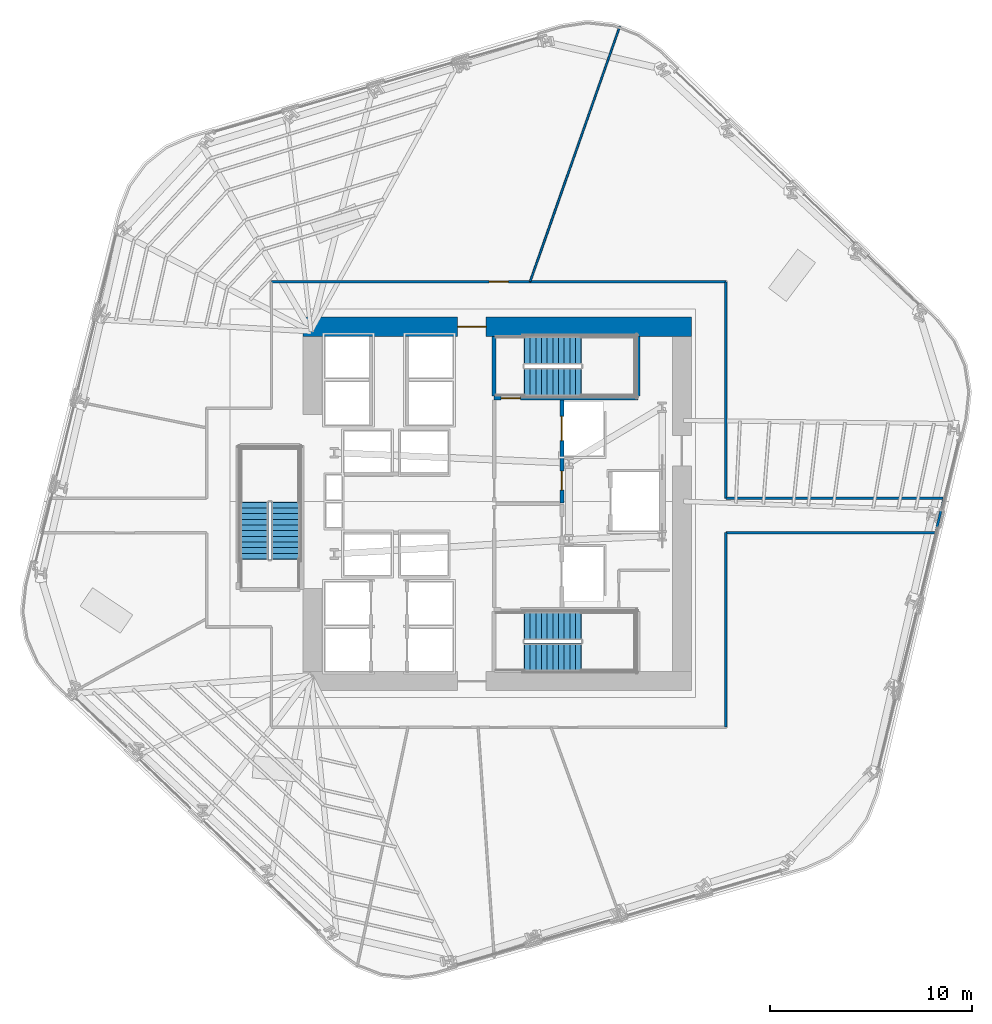
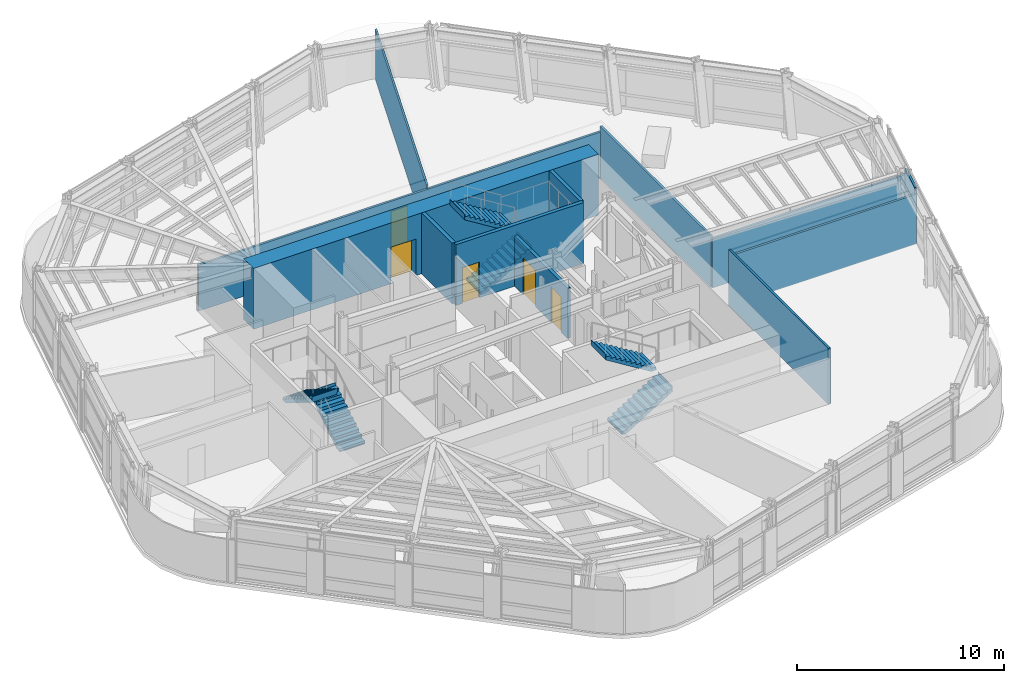
# One storey, part 9 of 15: 12 walls, 6 stair flights, 5 doors, 5 openings, 3 elements without a shape of their own.
"""IFC4 building model written with IfcOpenShell, lengths in metres."""

from ifc_helpers import new_model, si_unit, direction, frame, frame_2d, origin, place, context, subcontext, project, spatial, polyline, rectangle, outline, extrude, material, layer, layer_set, type_object, element, fill, aggregate, save


model = new_model("IFC4")

# Units and contexts
model_context = context("Model", 3, precision=1e-05, world=origin(), true_north=direction((0.0, 1.0)))
body_context = subcontext(model_context, "Body", "Model", "MODEL_VIEW")
ifc_project = project(units=[si_unit("LENGTHUNIT", "METRE"), si_unit("AREAUNIT", "SQUARE_METRE"), si_unit("VOLUMEUNIT", "CUBIC_METRE"), si_unit("PLANEANGLEUNIT", "RADIAN"), si_unit("MASSUNIT", "GRAM", prefix="KILO")], contexts=[model_context])

# Site, building, storey
site_placement = place(None, origin())
site = spatial("IfcSite", under=ifc_project, at=site_placement, CompositionType="ELEMENT")
building_placement = place(site_placement, origin())
building = spatial("IfcBuilding", under=site, at=building_placement, Name="Valkerne Bourse Tower", CompositionType="ELEMENT")
storey_placement = place(building_placement, frame((0.0, 0.0, 93.39990234375)))
storey = spatial("IfcBuildingStorey", under=building, at=storey_placement, Name="L23", CompositionType="ELEMENT", Elevation=93.39990234375)

# Wall, opening, door
ifc_material_1 = material(Name="Concrete C70/85", Category="concrete")
ifc_layer_1 = layer(ifc_material_1, 0.949951171875)
ifc_layer_set_1 = layer_set([ifc_layer_1], Name="Concrete C70/85")
wall_type_1 = type_object("IfcWallType", Name="W-CORE-950", PredefinedType="SHEAR", material=ifc_layer_set_1)
wall_1_placement = place(storey_placement, frame((37.199951171875, 35.625, 0.0), z_axis=(0.0, 0.0, 1.0), x_axis=(1.0, 0.0, 0.0)))
wall_1 = element("IfcWall", 1, at=wall_1_placement, inside=storey, type_object=wall_type_1, Name="L23 Core Shear Wall NORTH", PredefinedType="SHEAR", context=body_context, shape_type="SweptSolid", body=[
    extrude(rectangle(XDim=19.199951171875, YDim=0.949951171875, at=frame_2d((9.60009765625, 0.0))), origin(), (0.0, 0.0, 1.0), 3.580078125),
])
opening_1_placement = place(wall_1_placement, frame((7.64990234375, 0.0, 0.0)))
opening_1 = element("IfcOpeningElement", 2, at=opening_1_placement, cuts=wall_1, Name="Opening D-PL-1400", PredefinedType="OPENING", context=body_context, shape_type="SweptSolid", body=[
    extrude(rectangle(XDim=1.39990234375, YDim=2.14990234375, at=frame_2d((0.699951171875, 1.074951171875))), frame((0.0, 0.48486328125, 0.0), z_axis=(0.0, -1.0, 0.0), x_axis=(1.0, 0.0, 0.0)), (0.0, 0.0, 1.0), 0.969970703125),
])
ifc_material_2 = material(Name="Galvanised Painted Steel", Category="steel")
door_type_1 = type_object("IfcDoorType", Name="DR-PLT-1400", OperationType="DOUBLE_DOOR_SINGLE_SWING", PredefinedType="DOOR", material=ifc_material_2)
door_1_placement = place(opening_1_placement, origin())
door_1 = element("IfcDoor", 3, at=door_1_placement, inside=storey, type_object=door_type_1, Name="L23 North Passenger Lift Hall Fire Door", OperationType="DOUBLE_DOOR_SINGLE_SWING", OverallHeight=2.14990234375, OverallWidth=1.39990234375, PredefinedType="DOOR", context=body_context, shape_type="SweptSolid", body=[
    extrude(rectangle(XDim=1.39990234375, YDim=2.14990234375, at=frame_2d((0.699951171875, 1.074951171875))), frame((0.0, 0.02490234375, 0.0), z_axis=(0.0, -1.0, 0.0), x_axis=(1.0, 0.0, 0.0)), (0.0, 0.0, 1.0), 0.050048828125),
])
fill(opening_1, door_1)

# Walls
ifc_material_3 = material(Name="Gypsum Board Steel-Stud Partition", Category="steel")
ifc_layer_2 = layer(ifc_material_3, 0.117919921875)
ifc_layer_set_2 = layer_set([ifc_layer_2], Name="Gypsum Board Steel-Stud Partition")
wall_type_2 = type_object("IfcWallType", Name="W-CORR-140", PredefinedType="PARTITIONING", material=ifc_layer_set_2)
wall_2_placement = place(storey_placement, frame((58.10009765625, 27.14990234375, 0.0), z_axis=(0.0, 0.0, 1.0), x_axis=(1.0, 0.0, 0.0)))
element("IfcWall", 4, at=wall_2_placement, inside=storey, type_object=wall_type_2, Name="L23 Corridor Enclosure Wall", PredefinedType="PARTITIONING", context=body_context, shape_type="SweptSolid", body=[
    extrude(rectangle(XDim=10.724365234375, YDim=0.117919921875, at=frame_2d((5.3623046875, 0.0))), origin(), (0.0, 0.0, 1.0), 2.922607421875),
])
wall_3_placement = place(storey_placement, frame((68.85888671875, 27.106201171875, 0.0), z_axis=(0.0, 0.0, 1.0), x_axis=(-0.232266584187, -0.972652164892, 0.0)))
element("IfcWall", 5, at=wall_3_placement, inside=storey, type_object=wall_type_2, Name="L23 Corridor Enclosure Wall", PredefinedType="PARTITIONING", context=body_context, shape_type="SweptSolid", body=[
    extrude(rectangle(XDim=1.702880859375, YDim=0.117919921875, at=frame_2d((0.8515625, 0.0))), origin(), (0.0, 0.0, 1.0), 3.280029296875),
])
wall_4_placement = place(storey_placement, frame((68.46337890625, 25.449951171875, 0.0), z_axis=(0.0, 0.0, 1.0), x_axis=(-1.0, 0.0, 0.0)))
element("IfcWall", 6, at=wall_4_placement, inside=storey, type_object=wall_type_2, Name="L23 Corridor Enclosure Wall", PredefinedType="PARTITIONING", context=body_context, shape_type="SweptSolid", body=[
    extrude(rectangle(XDim=10.36328125, YDim=0.117919921875, at=frame_2d((5.181640625, 0.0))), origin(), (0.0, 0.0, 1.0), 2.922607421875),
])
wall_5_placement = place(storey_placement, frame((58.10009765625, 25.449951171875, 0.0), z_axis=(0.0, 0.0, 1.0), x_axis=(0.0, -1.0, 0.0)))
element("IfcWall", 7, at=wall_5_placement, inside=storey, type_object=wall_type_2, Name="L23 Corridor Enclosure Wall", PredefinedType="PARTITIONING", context=body_context, shape_type="SweptSolid", body=[
    extrude(rectangle(XDim=9.599853515625, YDim=0.117919921875, at=frame_2d((4.7998046875, 0.0))), origin(), (0.0, 0.0, 1.0), 3.280029296875),
])

# Wall, opening, door
wall_6_placement = place(storey_placement, frame((35.64990234375, 37.85009765625, 0.0), z_axis=(0.0, 0.0, 1.0), x_axis=(1.0, 0.0, 0.0)))
wall_6 = element("IfcWall", 8, at=wall_6_placement, inside=storey, type_object=wall_type_2, Name="L23 Corridor Enclosure Wall", PredefinedType="PARTITIONING", context=body_context, shape_type="SweptSolid", body=[
    extrude(rectangle(XDim=22.4501953125, YDim=0.117919921875, at=frame_2d((11.22509765625, 0.0))), origin(), (0.0, 0.0, 1.0), 2.711669921875),
])
opening_2_placement = place(wall_6_placement, frame((10.75, 0.0, 0.0)))
opening_2 = element("IfcOpeningElement", 9, at=opening_2_placement, cuts=wall_6, Name="Opening D-OF-950", PredefinedType="OPENING", context=body_context, shape_type="SweptSolid", body=[
    extrude(rectangle(XDim=0.949951171875, YDim=2.10009765625, at=frame_2d((0.47509765625, 1.050048828125))), frame((0.0, 0.06884765625, 0.0), z_axis=(0.0, -1.0, 0.0), x_axis=(1.0, 0.0, 0.0)), (0.0, 0.0, 1.0), 0.137939453125),
])
ifc_material_4 = material(Name="Architectural White Oak Timber", Category="wood")
door_type_2 = type_object("IfcDoorType", Name="DR-OFF-950", OperationType="NOTDEFINED", PredefinedType="DOOR", material=ifc_material_4)
door_2_placement = place(opening_2_placement, origin())
door_2 = element("IfcDoor", 10, at=door_2_placement, inside=storey, type_object=door_type_2, Name="L23 L23 Executive Advisory Suite Office 5 Door", OperationType="SINGLE_SWING_RIGHT", OverallHeight=2.10009765625, OverallWidth=0.949951171875, PredefinedType="DOOR", context=body_context, shape_type="SweptSolid", body=[
    extrude(rectangle(XDim=0.949951171875, YDim=2.10009765625, at=frame_2d((0.47509765625, 1.050048828125))), frame((0.0, 0.02490234375, 0.0), z_axis=(0.0, -1.0, 0.0), x_axis=(1.0, 0.0, 0.0)), (0.0, 0.0, 1.0), 0.050048828125),
])
fill(opening_2, door_2)

# Wall
wall_7_placement = place(storey_placement, frame((58.10009765625, 37.85009765625, 0.0), z_axis=(0.0, 0.0, 1.0), x_axis=(0.0, -1.0, 0.0)))
element("IfcWall", 11, at=wall_7_placement, inside=storey, type_object=wall_type_2, Name="L23 Corridor Enclosure Wall", PredefinedType="PARTITIONING", context=body_context, shape_type="SweptSolid", body=[
    extrude(rectangle(XDim=10.7001953125, YDim=0.117919921875, at=frame_2d((5.35009765625, 0.0))), origin(), (0.0, 0.0, 1.0), 3.021484375),
])

# Wall, openings, doors
ifc_material_5 = material(Name="Gypsum Fire-Rated Shaftwall", Category="gypsum")
ifc_layer_3 = layer(ifc_material_5, 0.179931640625)
ifc_layer_set_3 = layer_set([ifc_layer_3], Name="Gypsum Fire-Rated Shaftwall")
wall_type_3 = type_object("IfcWallType", Name="W-FSAE-180", PredefinedType="PARTITIONING", material=ifc_layer_set_3)
wall_8_placement = place(storey_placement, frame((50.0, 26.919921875, 0.0), z_axis=(0.0, 0.0, 1.0), x_axis=(0.0, 1.0, 0.0)))
wall_8 = element("IfcWall", 12, at=wall_8_placement, inside=storey, type_object=wall_type_3, Name="L23 FSAE-2 Lobby & Shaft Front Wall", PredefinedType="PARTITIONING", context=body_context, shape_type="SweptSolid", body=[
    extrude(rectangle(XDim=5.080078125, YDim=0.179931640625, at=frame_2d((2.5400390625, 0.0))), origin(), (0.0, 0.0, 1.0), 2.9580078125),
])
opening_3_placement = place(wall_8_placement, frame((3.080078125, 0.0, 0.0)))
opening_3 = element("IfcOpeningElement", 13, at=opening_3_placement, cuts=wall_8, Name="Opening LD-1200", PredefinedType="OPENING", context=body_context, shape_type="SweptSolid", body=[
    extrude(rectangle(XDim=1.199951171875, YDim=2.14990234375, at=frame_2d((0.60009765625, 1.074951171875))), frame((0.0, 0.099853515625, 0.0), z_axis=(0.0, -1.0, 0.0), x_axis=(1.0, 0.0, 0.0)), (0.0, 0.0, 1.0), 0.199951171875),
])
opening_4_placement = place(wall_8_placement, frame((0.6298828125, 0.0, 0.0)))
opening_4 = element("IfcOpeningElement", 14, at=opening_4_placement, cuts=wall_8, Name="Opening D-FS-950", PredefinedType="OPENING", context=body_context, shape_type="SweptSolid", body=[
    extrude(rectangle(XDim=0.949951171875, YDim=2.10009765625, at=frame_2d((0.47509765625, 1.050048828125))), frame((0.0, 0.099853515625, 0.0), z_axis=(0.0, -1.0, 0.0), x_axis=(1.0, 0.0, 0.0)), (0.0, 0.0, 1.0), 0.199951171875),
])
door_type_3 = type_object("IfcDoorType", Name="DR-FSAE-950", OperationType="NOTDEFINED", PredefinedType="DOOR", material=ifc_material_2)
door_3_placement = place(opening_4_placement, origin())
door_3 = element("IfcDoor", 15, at=door_3_placement, inside=storey, type_object=door_type_3, Name="L23 FSAE-2 Lobby Corridor Fire Door", OperationType="SINGLE_SWING_LEFT", OverallHeight=2.10009765625, OverallWidth=0.949951171875, PredefinedType="DOOR", context=body_context, shape_type="SweptSolid", body=[
    extrude(rectangle(XDim=0.949951171875, YDim=2.10009765625, at=frame_2d((0.47509765625, 1.050048828125))), frame((0.0, 0.02490234375, 0.0), z_axis=(0.0, -1.0, 0.0), x_axis=(1.0, 0.0, 0.0)), (0.0, 0.0, 1.0), 0.050048828125),
])
fill(opening_4, door_3)
ifc_material_6 = material(Name="Stainless Steel AISI 316", Category="steel")
door_type_4 = type_object("IfcDoorType", Name="DR-LIFT-1200", OperationType="DOUBLE_DOOR_SLIDING", PredefinedType="DOOR", material=ifc_material_6)
door_4_placement = place(opening_3_placement, origin())
door_4 = element("IfcDoor", 16, at=door_4_placement, inside=storey, type_object=door_type_4, Name="L23 FSAE-2 Firefighting Lift Landing Door", OperationType="DOUBLE_DOOR_SLIDING", OverallHeight=2.14990234375, OverallWidth=1.199951171875, PredefinedType="DOOR", context=body_context, shape_type="SweptSolid", body=[
    extrude(rectangle(XDim=1.199951171875, YDim=2.14990234375, at=frame_2d((0.60009765625, 1.074951171875))), frame((0.0, 0.02490234375, 0.0), z_axis=(0.0, -1.0, 0.0), x_axis=(1.0, 0.0, 0.0)), (0.0, 0.0, 1.0), 0.050048828125),
])
fill(opening_3, door_4)

# Wall
ifc_layer_4 = layer(ifc_material_3, 0.092041015625)
ifc_layer_set_4 = layer_set([ifc_layer_4], Name="Gypsum Board Steel-Stud Partition")
wall_type_4 = type_object("IfcWallType", Name="W-PART-115", PredefinedType="PARTITIONING", material=ifc_layer_set_4)
wall_9_placement = place(storey_placement, frame((48.427001953125, 37.85498046875, 0.0), z_axis=(0.0, 0.0, 1.0), x_axis=(0.33145961858, 0.943469406632, 0.0)))
element("IfcWall", 17, at=wall_9_placement, inside=storey, type_object=wall_type_4, Name="L23 Suite Partition P04", PredefinedType="PARTITIONING", context=body_context, shape_type="SweptSolid", body=[
    extrude(rectangle(XDim=13.360595703125, YDim=0.092041015625, at=frame_2d((6.68017578125, 0.0))), origin(), (0.0, 0.0, 1.0), 2.922607421875),
])

# Wall, opening, door
ifc_material_7 = material(Name="Concrete C40/50", Category="concrete")
ifc_layer_5 = layer(ifc_material_7, 0.199951171875)
ifc_layer_set_5 = layer_set([ifc_layer_5], Name="Concrete C40/50")
wall_type_5 = type_object("IfcWallType", Name="W-SHF-200", PredefinedType="SHEAR", material=ifc_layer_set_5)
wall_10_placement = place(storey_placement, frame((46.64990234375, 32.10009765625, 0.0), z_axis=(0.0, 0.0, 1.0), x_axis=(1.0, 0.0, 0.0)))
wall_10 = element("IfcWall", 18, at=wall_10_placement, inside=storey, type_object=wall_type_5, Name="L23 Exit Stair ST-2 Structural Shaft Wall South", PredefinedType="SHEAR", context=body_context, shape_type="SweptSolid", body=[
    extrude(rectangle(XDim=7.10009765625, YDim=0.199951171875, at=frame_2d((3.550048828125, 0.0))), origin(), (0.0, 0.0, 1.0), 3.580078125),
])
opening_5_placement = place(wall_10_placement, frame((0.35009765625, 0.0, 0.0)))
opening_5 = element("IfcOpeningElement", 19, at=opening_5_placement, cuts=wall_10, Name="Opening D-ST-950", PredefinedType="OPENING", context=body_context, shape_type="SweptSolid", body=[
    extrude(rectangle(XDim=0.949951171875, YDim=2.10009765625, at=frame_2d((0.47509765625, 1.050048828125))), frame((0.0, 0.10986328125, 0.0), z_axis=(0.0, -1.0, 0.0), x_axis=(1.0, 0.0, 0.0)), (0.0, 0.0, 1.0), 0.219970703125),
])
door_type_5 = type_object("IfcDoorType", Name="DR-STAIR-950", OperationType="NOTDEFINED", PredefinedType="DOOR", material=ifc_material_2)
door_5_placement = place(opening_5_placement, origin())
door_5 = element("IfcDoor", 20, at=door_5_placement, inside=storey, type_object=door_type_5, Name="L23 Exit Stair ST-2 Door", OperationType="SINGLE_SWING_RIGHT", OverallHeight=2.10009765625, OverallWidth=0.949951171875, PredefinedType="DOOR", context=body_context, shape_type="SweptSolid", body=[
    extrude(rectangle(XDim=0.949951171875, YDim=2.10009765625, at=frame_2d((0.47509765625, 1.050048828125))), frame((0.0, 0.02490234375, 0.0), z_axis=(0.0, -1.0, 0.0), x_axis=(1.0, 0.0, 0.0)), (0.0, 0.0, 1.0), 0.050048828125),
])
fill(opening_5, door_5)

# Walls
for number, where, z_axis, x_axis, name in (
    (21, (46.64990234375, 32.199951171875, 0.0), (0.0, 0.0, 1.0), (0.0, 1.0, 0.0), "L23 Exit Stair ST-2 Structural Shaft Wall West"),
    (22, (53.75, 32.199951171875, 0.0), (0.0, 0.0, 1.0), (0.0, 1.0, 0.0), "L23 Exit Stair ST-2 Structural Shaft Wall East"),
):
    element("IfcWall", number, at=place(storey_placement, frame(where, z_axis=z_axis, x_axis=x_axis)), inside=storey, type_object=wall_type_5, Name=name, PredefinedType="SHEAR", context=body_context, shape_type="SweptSolid", body=[
        extrude(rectangle(XDim=2.949951171875, YDim=0.199951171875, at=frame_2d((1.47509765625, 0.0))), origin(), (0.0, 0.0, 1.0), 3.580078125),
    ])

# Stair, stair flights
stair_type = type_object("IfcStairType", Name="ST-CORE-1400", PredefinedType="HALF_TURN_STAIR", material=ifc_material_7)
stair_1_placement = place(storey_placement, origin())
stair_1 = element("IfcStair", 23, at=stair_1_placement, inside=storey, type_object=stair_type, Name="L23 ST-1", PredefinedType="HALF_TURN_STAIR")
stair_flight_type = type_object("IfcStairFlightType", Name="STF-CORE-1400", PredefinedType="STRAIGHT", material=ifc_material_7)
stair_flight_1_placement = place(storey_placement, frame((48.14990234375, 19.300048828125, 0.0), z_axis=(0.0, 0.0, 1.0), x_axis=(1.0, 0.0, 0.0)))
stair_flight_1 = element("IfcStairFlight", 24, at=stair_flight_1_placement, type_object=stair_flight_type, Name="ST-1 flight 1", NumberOfRisers=11, NumberOfTreads=10, PredefinedType="STRAIGHT", RiserHeight=0.172727273, TreadLength=0.28, context=body_context, shape_type="SweptSolid", body=[
    extrude(outline(polyline([(-0.02001953125, 0.0), (-0.02001953125, 0.044921875), (0.0, 0.044921875), (0.0, 0.172607421875), (0.280029296875, 0.172607421875), (0.280029296875, 0.345458984375), (0.56005859375, 0.345458984375), (0.56005859375, 0.51806640625), (0.840087890625, 0.51806640625), (0.840087890625, 0.69091796875), (1.1201171875, 0.69091796875), (1.1201171875, 0.863525390625), (1.39990234375, 0.863525390625), (1.39990234375, 1.036376953125), (1.679931640625, 1.036376953125), (1.679931640625, 1.208984375), (1.9599609375, 1.208984375), (1.9599609375, 1.3818359375), (2.239990234375, 1.3818359375), (2.239990234375, 1.554443359375), (2.52001953125, 1.554443359375), (2.52001953125, 1.727294921875), (2.800048828125, 1.727294921875), (2.800048828125, 1.89990234375), (2.820068359375, 1.89990234375), (2.820068359375, 1.780029296875), (2.800048828125, 1.551025390625), (0.285400390625, 0.0), (-0.02001953125, 0.0)])), frame((0.0, 0.699951171875, 0.0), z_axis=(0.0, -1.0, 0.0), x_axis=(1.0, 0.0, 0.0)), (0.0, 0.0, 1.0), 1.39990234375),
])
stair_flight_2_placement = place(storey_placement, frame((50.949951171875, 20.85009765625, 1.900146484375), z_axis=(0.0, 0.0, 1.0), x_axis=(-1.0, 0.0, 0.0)))
stair_flight_2 = element("IfcStairFlight", 25, at=stair_flight_2_placement, type_object=stair_flight_type, Name="ST-1 flight 2", NumberOfRisers=11, NumberOfTreads=10, PredefinedType="STRAIGHT", RiserHeight=0.172727273, TreadLength=0.28, context=body_context, shape_type="SweptSolid", body=[
    extrude(outline(polyline([(-0.02001953125, 0.0), (-0.02001953125, 0.044921875), (0.0, 0.044921875), (0.0, 0.172607421875), (0.280029296875, 0.172607421875), (0.280029296875, 0.345458984375), (0.56005859375, 0.345458984375), (0.56005859375, 0.51806640625), (0.840087890625, 0.51806640625), (0.840087890625, 0.69091796875), (1.1201171875, 0.69091796875), (1.1201171875, 0.863525390625), (1.39990234375, 0.863525390625), (1.39990234375, 1.036376953125), (1.679931640625, 1.036376953125), (1.679931640625, 1.208984375), (1.9599609375, 1.208984375), (1.9599609375, 1.3818359375), (2.239990234375, 1.3818359375), (2.239990234375, 1.554443359375), (2.52001953125, 1.554443359375), (2.52001953125, 1.727294921875), (2.800048828125, 1.727294921875), (2.800048828125, 1.89990234375), (2.820068359375, 1.89990234375), (2.820068359375, 1.780029296875), (2.800048828125, 1.551025390625), (0.285400390625, 0.0), (-0.02001953125, 0.0)])), frame((0.0, 0.699951171875, 0.0), z_axis=(0.0, -1.0, 0.0), x_axis=(1.0, 0.0, 0.0)), (0.0, 0.0, 1.0), 1.39990234375),
])
aggregate(stair_1, [stair_flight_1, stair_flight_2])

stair_2_placement = place(storey_placement, origin())
stair_2 = element("IfcStair", 26, at=stair_2_placement, inside=storey, type_object=stair_type, Name="L23 ST-2", PredefinedType="HALF_TURN_STAIR")
stair_flight_3_placement = place(storey_placement, frame((48.14990234375, 32.89990234375, 0.0), z_axis=(0.0, 0.0, 1.0), x_axis=(1.0, 0.0, 0.0)))
stair_flight_3 = element("IfcStairFlight", 27, at=stair_flight_3_placement, type_object=stair_flight_type, Name="ST-2 flight 1", NumberOfRisers=11, NumberOfTreads=10, PredefinedType="STRAIGHT", RiserHeight=0.172727273, TreadLength=0.28, context=body_context, shape_type="SweptSolid", body=[
    extrude(outline(polyline([(-0.02001953125, 0.0), (-0.02001953125, 0.044921875), (0.0, 0.044921875), (0.0, 0.172607421875), (0.280029296875, 0.172607421875), (0.280029296875, 0.345458984375), (0.56005859375, 0.345458984375), (0.56005859375, 0.51806640625), (0.840087890625, 0.51806640625), (0.840087890625, 0.69091796875), (1.1201171875, 0.69091796875), (1.1201171875, 0.863525390625), (1.39990234375, 0.863525390625), (1.39990234375, 1.036376953125), (1.679931640625, 1.036376953125), (1.679931640625, 1.208984375), (1.9599609375, 1.208984375), (1.9599609375, 1.3818359375), (2.239990234375, 1.3818359375), (2.239990234375, 1.554443359375), (2.52001953125, 1.554443359375), (2.52001953125, 1.727294921875), (2.800048828125, 1.727294921875), (2.800048828125, 1.89990234375), (2.820068359375, 1.89990234375), (2.820068359375, 1.780029296875), (2.800048828125, 1.551025390625), (0.285400390625, 0.0), (-0.02001953125, 0.0)])), frame((0.0, 0.699951171875, 0.0), z_axis=(0.0, -1.0, 0.0), x_axis=(1.0, 0.0, 0.0)), (0.0, 0.0, 1.0), 1.39990234375),
])
stair_flight_4_placement = place(storey_placement, frame((50.949951171875, 34.449951171875, 1.900146484375), z_axis=(0.0, 0.0, 1.0), x_axis=(-1.0, 0.0, 0.0)))
stair_flight_4 = element("IfcStairFlight", 28, at=stair_flight_4_placement, type_object=stair_flight_type, Name="ST-2 flight 2", NumberOfRisers=11, NumberOfTreads=10, PredefinedType="STRAIGHT", RiserHeight=0.172727273, TreadLength=0.28, context=body_context, shape_type="SweptSolid", body=[
    extrude(outline(polyline([(-0.02001953125, 0.0), (-0.02001953125, 0.044921875), (0.0, 0.044921875), (0.0, 0.172607421875), (0.280029296875, 0.172607421875), (0.280029296875, 0.345458984375), (0.56005859375, 0.345458984375), (0.56005859375, 0.51806640625), (0.840087890625, 0.51806640625), (0.840087890625, 0.69091796875), (1.1201171875, 0.69091796875), (1.1201171875, 0.863525390625), (1.39990234375, 0.863525390625), (1.39990234375, 1.036376953125), (1.679931640625, 1.036376953125), (1.679931640625, 1.208984375), (1.9599609375, 1.208984375), (1.9599609375, 1.3818359375), (2.239990234375, 1.3818359375), (2.239990234375, 1.554443359375), (2.52001953125, 1.554443359375), (2.52001953125, 1.727294921875), (2.800048828125, 1.727294921875), (2.800048828125, 1.89990234375), (2.820068359375, 1.89990234375), (2.820068359375, 1.780029296875), (2.800048828125, 1.551025390625), (0.285400390625, 0.0), (-0.02001953125, 0.0)])), frame((0.0, 0.699951171875, 0.0), z_axis=(0.0, -1.0, 0.0), x_axis=(1.0, 0.0, 0.0)), (0.0, 0.0, 1.0), 1.39990234375),
])
aggregate(stair_2, [stair_flight_3, stair_flight_4])

stair_3_placement = place(storey_placement, origin())
stair_3 = element("IfcStair", 29, at=stair_3_placement, inside=storey, type_object=stair_type, Name="L23 ST-3", PredefinedType="HALF_TURN_STAIR")
stair_flight_5_placement = place(storey_placement, frame((36.35009765625, 24.14990234375, 0.0), z_axis=(0.0, 0.0, 1.0), x_axis=(0.0, 1.0, 0.0)))
stair_flight_5 = element("IfcStairFlight", 30, at=stair_flight_5_placement, type_object=stair_flight_type, Name="ST-3 flight 1", NumberOfRisers=11, NumberOfTreads=10, PredefinedType="STRAIGHT", RiserHeight=0.172727273, TreadLength=0.28, context=body_context, shape_type="SweptSolid", body=[
    extrude(outline(polyline([(-0.02001953125, 0.0), (-0.02001953125, 0.044921875), (0.0, 0.044921875), (0.0, 0.172607421875), (0.280029296875, 0.172607421875), (0.280029296875, 0.345458984375), (0.56005859375, 0.345458984375), (0.56005859375, 0.51806640625), (0.840087890625, 0.51806640625), (0.840087890625, 0.69091796875), (1.1201171875, 0.69091796875), (1.1201171875, 0.863525390625), (1.39990234375, 0.863525390625), (1.39990234375, 1.036376953125), (1.679931640625, 1.036376953125), (1.679931640625, 1.208984375), (1.9599609375, 1.208984375), (1.9599609375, 1.3818359375), (2.239990234375, 1.3818359375), (2.239990234375, 1.554443359375), (2.52001953125, 1.554443359375), (2.52001953125, 1.727294921875), (2.800048828125, 1.727294921875), (2.800048828125, 1.89990234375), (2.820068359375, 1.89990234375), (2.820068359375, 1.780029296875), (2.800048828125, 1.551025390625), (0.285400390625, 0.0), (-0.02001953125, 0.0)])), frame((0.0, 0.699951171875, 0.0), z_axis=(0.0, -1.0, 0.0), x_axis=(1.0, 0.0, 0.0)), (0.0, 0.0, 1.0), 1.39990234375),
])
stair_flight_6_placement = place(storey_placement, frame((34.800048828125, 26.949951171875, 1.900146484375), z_axis=(0.0, 0.0, 1.0), x_axis=(0.0, -1.0, 0.0)))
stair_flight_6 = element("IfcStairFlight", 31, at=stair_flight_6_placement, type_object=stair_flight_type, Name="ST-3 flight 2", NumberOfRisers=11, NumberOfTreads=10, PredefinedType="STRAIGHT", RiserHeight=0.172727273, TreadLength=0.28, context=body_context, shape_type="SweptSolid", body=[
    extrude(outline(polyline([(-0.02001953125, 0.0), (-0.02001953125, 0.044921875), (0.0, 0.044921875), (0.0, 0.172607421875), (0.280029296875, 0.172607421875), (0.280029296875, 0.345458984375), (0.56005859375, 0.345458984375), (0.56005859375, 0.51806640625), (0.840087890625, 0.51806640625), (0.840087890625, 0.69091796875), (1.1201171875, 0.69091796875), (1.1201171875, 0.863525390625), (1.39990234375, 0.863525390625), (1.39990234375, 1.036376953125), (1.679931640625, 1.036376953125), (1.679931640625, 1.208984375), (1.9599609375, 1.208984375), (1.9599609375, 1.3818359375), (2.239990234375, 1.3818359375), (2.239990234375, 1.554443359375), (2.52001953125, 1.554443359375), (2.52001953125, 1.727294921875), (2.800048828125, 1.727294921875), (2.800048828125, 1.89990234375), (2.820068359375, 1.89990234375), (2.820068359375, 1.780029296875), (2.800048828125, 1.551025390625), (0.285400390625, 0.0), (-0.02001953125, 0.0)])), frame((0.0, 0.699951171875, 0.0), z_axis=(0.0, -1.0, 0.0), x_axis=(1.0, 0.0, 0.0)), (0.0, 0.0, 1.0), 1.39990234375),
])
aggregate(stair_3, [stair_flight_5, stair_flight_6])

save(model, "model.ifc")
